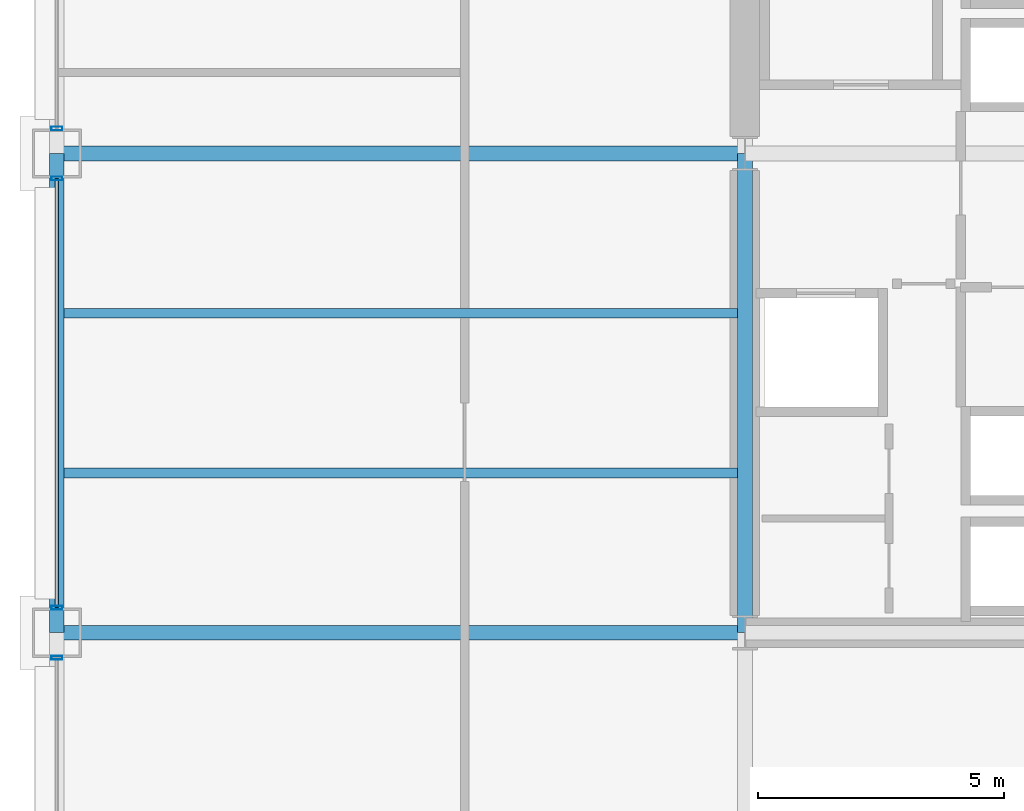
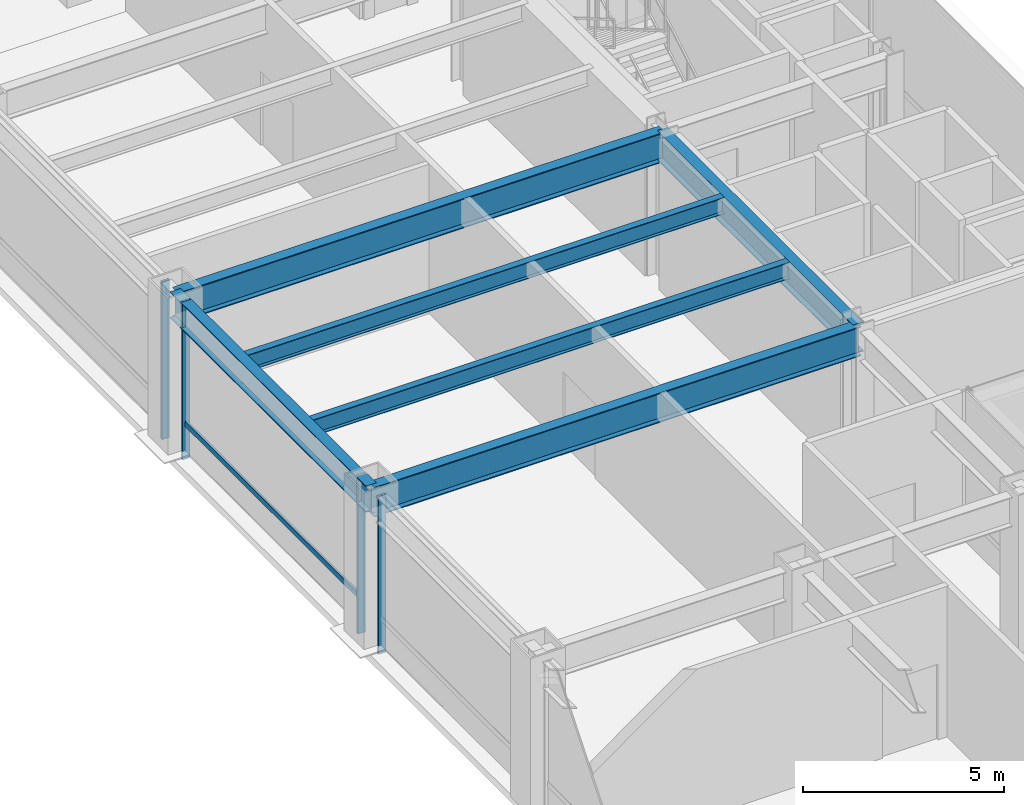
# One storey, part 6 of 40: 6 beams, 5 members, 3 elements without a shape of their own.
"""IFC4 building model written with IfcOpenShell, lengths in metres."""

from ifc_helpers import new_model, si_unit, direction, frame, origin, origin_2d, place, context, subcontext, project, spatial, hollow_rectangle, i_section, extrude, material, layer, layer_set, material_profile, profile_set, type_object, element, aggregate, save


model = new_model("IFC4")

# Units and contexts
model_context = context("Model", 3, precision=1e-05, world=origin(), true_north=direction((0.0, 1.0)))
body_context = subcontext(model_context, "Body", "Model", "MODEL_VIEW")
ifc_project = project(units=[si_unit("LENGTHUNIT", "METRE"), si_unit("AREAUNIT", "SQUARE_METRE"), si_unit("VOLUMEUNIT", "CUBIC_METRE"), si_unit("PLANEANGLEUNIT", "RADIAN"), si_unit("MASSUNIT", "GRAM", prefix="KILO")], contexts=[model_context])

# Site, building, storey
site_placement = place(None, origin())
site = spatial("IfcSite", under=ifc_project, at=site_placement, CompositionType="ELEMENT")
building_placement = place(site_placement, origin())
building = spatial("IfcBuilding", under=site, at=building_placement, Name="Brelmoor Portico Tower", CompositionType="ELEMENT")
storey_placement = place(building_placement, frame((0.0, 0.0, 4.800048828125)))
storey = spatial("IfcBuildingStorey", under=building, at=storey_placement, Name="L01", CompositionType="ELEMENT", Elevation=4.800048828125)

# Beams
ifc_material_1 = material(Name="Steel Q355B", Category="steel")
ifc_material_profile_1 = material_profile(ifc_material_1, i_section(OverallWidth=0.199951171875, OverallDepth=0.5, WebThickness=0.010009765625, FlangeThickness=0.01611328125, at=origin_2d()), Name="HN 500x200x10x16")
ifc_profile_set_1 = profile_set([ifc_material_profile_1], Name="Steel Q355B")
beam_type_1 = type_object("IfcBeamType", Name="BM-JS-500", PredefinedType="JOIST", material=ifc_profile_set_1)
for number, where, z_axis, x_axis, name in (
    (1, (-28.39990234375, -6.5, 4.329833984375), (1.0, 0.0, 0.0), (0.0, 1.0, 0.0), "L01 Secondary Wing Joist JS-W01"),
    (2, (-28.39990234375, -3.25, 4.329833984375), (1.0, 0.0, 0.0), (0.0, 1.0, 0.0), "L01 Secondary Wing Joist JS-W02"),
):
    element("IfcBeam", number, at=place(storey_placement, frame(where, z_axis=z_axis, x_axis=x_axis)), inside=storey, type_object=beam_type_1, Name=name, PredefinedType="JOIST", context=body_context, shape_type="SweptSolid", body=[
        extrude(i_section(OverallWidth=0.199951171875, OverallDepth=0.5, WebThickness=0.010009765625, FlangeThickness=0.01611328125, at=origin_2d()), origin(), (0.0, 0.0, 1.0), 13.699951171875),
    ])
ifc_material_profile_2 = material_profile(ifc_material_1, i_section(OverallWidth=0.300048828125, OverallDepth=0.89990234375, WebThickness=0.01611328125, FlangeThickness=0.028076171875, at=origin_2d()), Name="HN 900x300x16x28")
ifc_profile_set_2 = profile_set([ifc_material_profile_2], Name="Steel Q355B")
beam_type_2 = type_object("IfcBeamType", Name="BM-PG-900", PredefinedType="BEAM", material=ifc_profile_set_2)
beam_1_placement = place(storey_placement, frame((-14.550048828125, -9.75, 4.1298828125), z_axis=(0.0, 1.0, 0.0), x_axis=(-1.0, 0.0, 0.0)))
element("IfcBeam", 3, at=beam_1_placement, inside=storey, type_object=beam_type_2, Name="L01 Primary Floor Girder PG-06", PredefinedType="BEAM", context=body_context, shape_type="SweptSolid", body=[
    extrude(i_section(OverallWidth=0.300048828125, OverallDepth=0.89990234375, WebThickness=0.01611328125, FlangeThickness=0.028076171875, at=origin_2d()), origin(), (0.0, 0.0, 1.0), 9.75),
])
for number, where, z_axis, x_axis, name in (
    (4, (-28.550048828125, -9.75, 4.1298828125), (1.0, 0.0, 0.0), (0.0, 1.0, 0.0), "L01 Primary Floor Girder PG-25"),
    (5, (-28.550048828125, 0.0, 4.1298828125), (1.0, 0.0, 0.0), (0.0, 1.0, 0.0), "L01 Primary Floor Girder PG-29"),
):
    element("IfcBeam", number, at=place(storey_placement, frame(where, z_axis=z_axis, x_axis=x_axis)), inside=storey, type_object=beam_type_2, Name=name, PredefinedType="BEAM", context=body_context, shape_type="SweptSolid", body=[
        extrude(i_section(OverallWidth=0.300048828125, OverallDepth=0.89990234375, WebThickness=0.01611328125, FlangeThickness=0.028076171875, at=origin_2d()), origin(), (0.0, 0.0, 1.0), 14.0),
    ])
ifc_material_profile_3 = material_profile(ifc_material_1, i_section(OverallWidth=0.300048828125, OverallDepth=0.800048828125, WebThickness=0.013916015625, FlangeThickness=0.02587890625, at=origin_2d()), Name="HN 800x300x14x26")
ifc_profile_set_3 = profile_set([ifc_material_profile_3], Name="Steel Q355B")
beam_type_3 = type_object("IfcBeamType", Name="BM-SP-800", PredefinedType="SPANDREL", material=ifc_profile_set_3)
beam_2_placement = place(storey_placement, frame((-28.550048828125, -9.75, 4.179931640625), z_axis=(0.0, 1.0, 0.0), x_axis=(-1.0, 0.0, 0.0)))
element("IfcBeam", 6, at=beam_2_placement, inside=storey, type_object=beam_type_3, Name="L01 Perimeter Spandrel Beam SP-11", PredefinedType="SPANDREL", context=body_context, shape_type="SweptSolid", body=[
    extrude(i_section(OverallWidth=0.300048828125, OverallDepth=0.800048828125, WebThickness=0.013916015625, FlangeThickness=0.02587890625, at=origin_2d()), origin(), (0.0, 0.0, 1.0), 9.75),
])

# Curtain wall, member
ifc_material_2 = material(Name="Anodised Aluminium Alloy 6063-T6", Category="aluminium")
ifc_layer = layer(ifc_material_2, 0.179931640625)
ifc_layer_set = layer_set([ifc_layer], Name="Anodised Aluminium Alloy 6063-T6")
curtain_wall_type = type_object("IfcCurtainWallType", Name="CW-PODIUM-ARCH", PredefinedType="NOTDEFINED", material=ifc_layer_set)
curtain_wall_1_placement = place(storey_placement, origin())
curtain_wall_1 = element("IfcCurtainWall", 7, at=curtain_wall_1_placement, inside=storey, type_object=curtain_wall_type, Name="L01 Curtain Wall CW-L01-05-2", PredefinedType="NOTDEFINED")
ifc_material_profile_4 = material_profile(ifc_material_2, hollow_rectangle(XDim=0.074951171875, YDim=0.219970703125, WallThickness=0.0048828125, at=origin_2d()), Name="ALU MULLION 75x220")
ifc_profile_set_4 = profile_set([ifc_material_profile_4], Name="Anodised Aluminium Alloy 6063-T6")
member_type_1 = type_object("IfcMemberType", Name="MB-CW-MULL-220", PredefinedType="MULLION", material=ifc_profile_set_4)
member_1_placement = place(storey_placement, frame((-28.550048828125, -10.260009765625, -0.219970703125), z_axis=(0.0, 0.0, 1.0), x_axis=(0.0, 1.0, 0.0)))
member_1 = element("IfcMember", 8, at=member_1_placement, type_object=member_type_1, Name="CW-L01-05-2 Mullion 01", PredefinedType="MULLION", context=body_context, shape_type="SweptSolid", body=[
    extrude(hollow_rectangle(XDim=0.074951171875, YDim=0.219970703125, WallThickness=0.0048828125, at=origin_2d()), origin(), (0.0, 0.0, 1.0), 4.7998046875),
])
aggregate(curtain_wall_1, [member_1])

# Curtain wall, members
curtain_wall_2_placement = place(storey_placement, origin())
curtain_wall_2 = element("IfcCurtainWall", 9, at=curtain_wall_2_placement, inside=storey, type_object=curtain_wall_type, Name="L01 Curtain Wall CW-L01-05-3", PredefinedType="NOTDEFINED")
member_2_placement = place(storey_placement, frame((-28.550048828125, -9.239990234375, -0.219970703125), z_axis=(0.0, 0.0, 1.0), x_axis=(0.0, 1.0, 0.0)))
member_2 = element("IfcMember", 10, at=member_2_placement, type_object=member_type_1, Name="CW-L01-05-3 Mullion 00", PredefinedType="MULLION", context=body_context, shape_type="SweptSolid", body=[
    extrude(hollow_rectangle(XDim=0.074951171875, YDim=0.219970703125, WallThickness=0.0048828125, at=origin_2d()), origin(), (0.0, 0.0, 1.0), 4.7998046875),
])
member_3_placement = place(storey_placement, frame((-28.550048828125, -0.510009765625, -0.219970703125), z_axis=(0.0, 0.0, 1.0), x_axis=(0.0, 1.0, 0.0)))
member_3 = element("IfcMember", 11, at=member_3_placement, type_object=member_type_1, Name="CW-L01-05-3 Mullion 01", PredefinedType="MULLION", context=body_context, shape_type="SweptSolid", body=[
    extrude(hollow_rectangle(XDim=0.074951171875, YDim=0.219970703125, WallThickness=0.0048828125, at=origin_2d()), origin(), (0.0, 0.0, 1.0), 4.7998046875),
])

# Curtain wall, member
curtain_wall_3_placement = place(storey_placement, origin())
curtain_wall_3 = element("IfcCurtainWall", 12, at=curtain_wall_3_placement, inside=storey, type_object=curtain_wall_type, Name="L01 Curtain Wall CW-L01-05-4", PredefinedType="NOTDEFINED")
member_4_placement = place(storey_placement, frame((-28.550048828125, 0.510009765625, -0.219970703125), z_axis=(0.0, 0.0, 1.0), x_axis=(0.0, 1.0, 0.0)))
member_4 = element("IfcMember", 13, at=member_4_placement, type_object=member_type_1, Name="CW-L01-05-4 Mullion 00", PredefinedType="MULLION", context=body_context, shape_type="SweptSolid", body=[
    extrude(hollow_rectangle(XDim=0.074951171875, YDim=0.219970703125, WallThickness=0.0048828125, at=origin_2d()), origin(), (0.0, 0.0, 1.0), 4.7998046875),
])
aggregate(curtain_wall_3, [member_4])

# Member
ifc_material_profile_5 = material_profile(ifc_material_2, hollow_rectangle(XDim=0.070068359375, YDim=0.159912109375, WallThickness=0.00390625, at=origin_2d()), Name="ALU TRANSOM 70x160")
ifc_profile_set_5 = profile_set([ifc_material_profile_5], Name="Anodised Aluminium Alloy 6063-T6")
member_type_2 = type_object("IfcMemberType", Name="MB-CW-TRAN-160", PredefinedType="USERDEFINED", material=ifc_profile_set_5)
member_5_placement = place(storey_placement, frame((-28.550048828125, -9.239990234375, 0.849853515625), z_axis=(0.0, 1.0, 0.0), x_axis=(-1.0, 0.0, 0.0)))
member_5 = element("IfcMember", 14, at=member_5_placement, type_object=member_type_2, Name="CW-L01-05-3 Transom 1-00", ObjectType="TRANSOM", PredefinedType="USERDEFINED", context=body_context, shape_type="SweptSolid", body=[
    extrude(hollow_rectangle(XDim=0.070068359375, YDim=0.159912109375, WallThickness=0.00390625, at=origin_2d()), origin(), (0.0, 0.0, 1.0), 8.72998046875),
])

aggregate(curtain_wall_2, [member_2, member_3, member_5])

save(model, "model.ifc")
